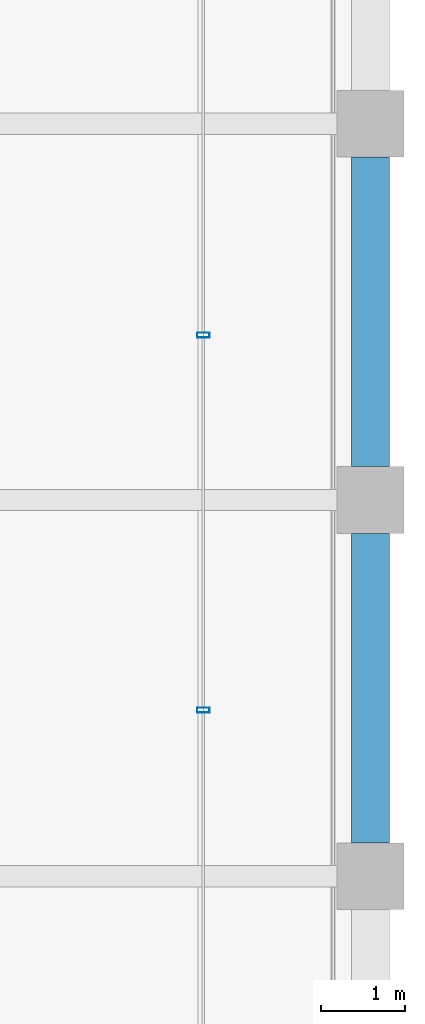
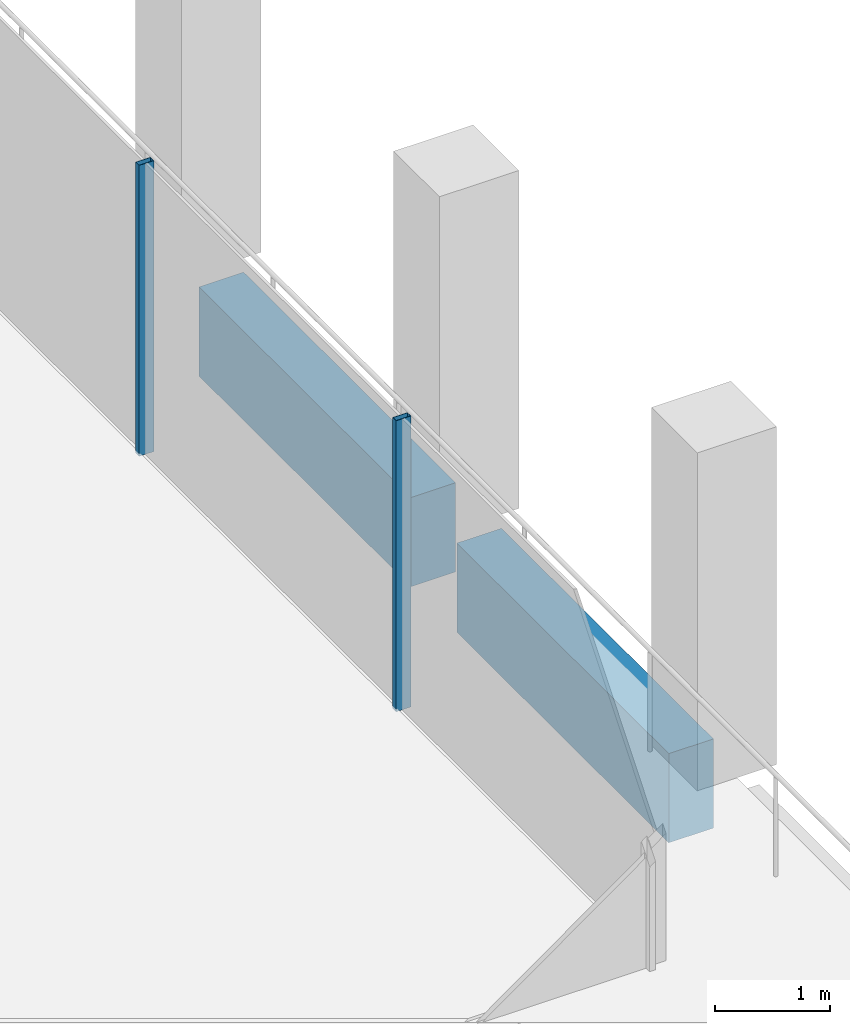
# One storey, part 15 of 30: 2 beams, 2 members, 1 element without a shape of its own.
"""IFC4 building model written with IfcOpenShell, lengths in metres."""

from ifc_helpers import new_model, si_unit, direction, frame, origin, origin_2d, place, context, subcontext, project, spatial, rectangle, hollow_rectangle, extrude, material, material_profile, profile_set, type_object, element, aggregate, save


model = new_model("IFC4")

# Units and contexts
model_context = context("Model", 3, precision=1e-05, world=origin(), true_north=direction((0.0, 1.0)))
body_context = subcontext(model_context, "Body", "Model", "MODEL_VIEW")
ifc_project = project(units=[si_unit("LENGTHUNIT", "METRE"), si_unit("AREAUNIT", "SQUARE_METRE"), si_unit("VOLUMEUNIT", "CUBIC_METRE"), si_unit("PLANEANGLEUNIT", "RADIAN"), si_unit("MASSUNIT", "GRAM", prefix="KILO")], contexts=[model_context])

# Site, building, storey
site_placement = place(None, origin())
site = spatial("IfcSite", under=ifc_project, at=site_placement, CompositionType="ELEMENT")
building_placement = place(site_placement, origin())
building = spatial("IfcBuilding", under=site, at=building_placement, Name="Altepetl Exchange Towers", CompositionType="ELEMENT")
storey_placement = place(building_placement, frame((0.0, 0.0, 220.800048828125)))
storey = spatial("IfcBuildingStorey", under=building, at=storey_placement, Name="L56", CompositionType="ELEMENT", Elevation=220.800048828125)

# Curtain wall, members
ifc_material_1 = material(Name="Aluminium 6063-T6 glazing", Category="aluminium")
curtain_wall_type = type_object("IfcCurtainWallType", Name="Loggia glazing system", PredefinedType="NOTDEFINED", material=ifc_material_1)
curtain_wall_placement = place(storey_placement, origin())
curtain_wall = element("IfcCurtainWall", 1, at=curtain_wall_placement, inside=storey, type_object=curtain_wall_type, Name="CW1 run", PredefinedType="NOTDEFINED")
ifc_material_2 = material(Name="Aluminium 6063-T6", Category="aluminium")
ifc_material_profile_1 = material_profile(ifc_material_2, hollow_rectangle(XDim=0.06005859375, YDim=0.14990234375, WallThickness=0.0029296875, at=origin_2d()), Name="Mullion 60x150 aluminium")
ifc_profile_set_1 = profile_set([ifc_material_profile_1], Name="Aluminium 6063-T6")
member_type = type_object("IfcMemberType", Name="Mullion 60x150 aluminium", PredefinedType="MULLION", material=ifc_profile_set_1)
member_1_placement = place(storey_placement, frame((70.0, 37.986083984375, 0.0), z_axis=(0.0, 0.0, 1.0), x_axis=(0.0, 1.0, 0.0)))
member_1 = element("IfcMember", 2, at=member_1_placement, type_object=member_type, Name="MU1 mullion", PredefinedType="MULLION", context=body_context, shape_type="SweptSolid", body=[
    extrude(hollow_rectangle(XDim=0.06005859375, YDim=0.14990234375, WallThickness=0.0029296875, at=origin_2d()), origin(), (0.0, 0.0, 1.0), 3.099853515625),
])
member_2_placement = place(storey_placement, frame((70.0, 42.471923828125, 0.0), z_axis=(0.0, 0.0, 1.0), x_axis=(0.0, 1.0, 0.0)))
member_2 = element("IfcMember", 3, at=member_2_placement, type_object=member_type, Name="MU1 mullion", PredefinedType="MULLION", context=body_context, shape_type="SweptSolid", body=[
    extrude(hollow_rectangle(XDim=0.06005859375, YDim=0.14990234375, WallThickness=0.0029296875, at=origin_2d()), origin(), (0.0, 0.0, 1.0), 3.099853515625),
])
aggregate(curtain_wall, [member_1, member_2])

# Beams
ifc_material_3 = material(Name="Concrete C50/60 precast with cantera amarilla facing", Category="concrete")
ifc_material_profile_2 = material_profile(ifc_material_3, rectangle(XDim=0.449951171875, YDim=0.949951171875, at=origin_2d()), Name="450 x 950")
ifc_profile_set_2 = profile_set([ifc_material_profile_2], Name="Concrete C50/60 precast with cantera amarilla facing")
beam_type = type_object("IfcBeamType", Name="Spandrel beam 450x950 cantera amarilla", PredefinedType="SPANDREL", material=ifc_profile_set_2)
for number, where, z_axis, x_axis, name in (
    (4, (72.0, 36.39990234375, -0.625), (0.0, 1.0, 0.0), (-1.0, 0.0, 0.0), "sp:A:L56:013"),
    (5, (72.0, 40.89990234375, -0.625), (0.0, 1.0, 0.0), (-1.0, 0.0, 0.0), "sp:A:L56:014"),
):
    element("IfcBeam", number, at=place(storey_placement, frame(where, z_axis=z_axis, x_axis=x_axis)), inside=storey, type_object=beam_type, Name=name, PredefinedType="SPANDREL", context=body_context, shape_type="SweptSolid", body=[
        extrude(rectangle(XDim=0.449951171875, YDim=0.949951171875, at=origin_2d()), origin(), (0.0, 0.0, 1.0), 3.7001953125),
    ])

save(model, "model.ifc")
